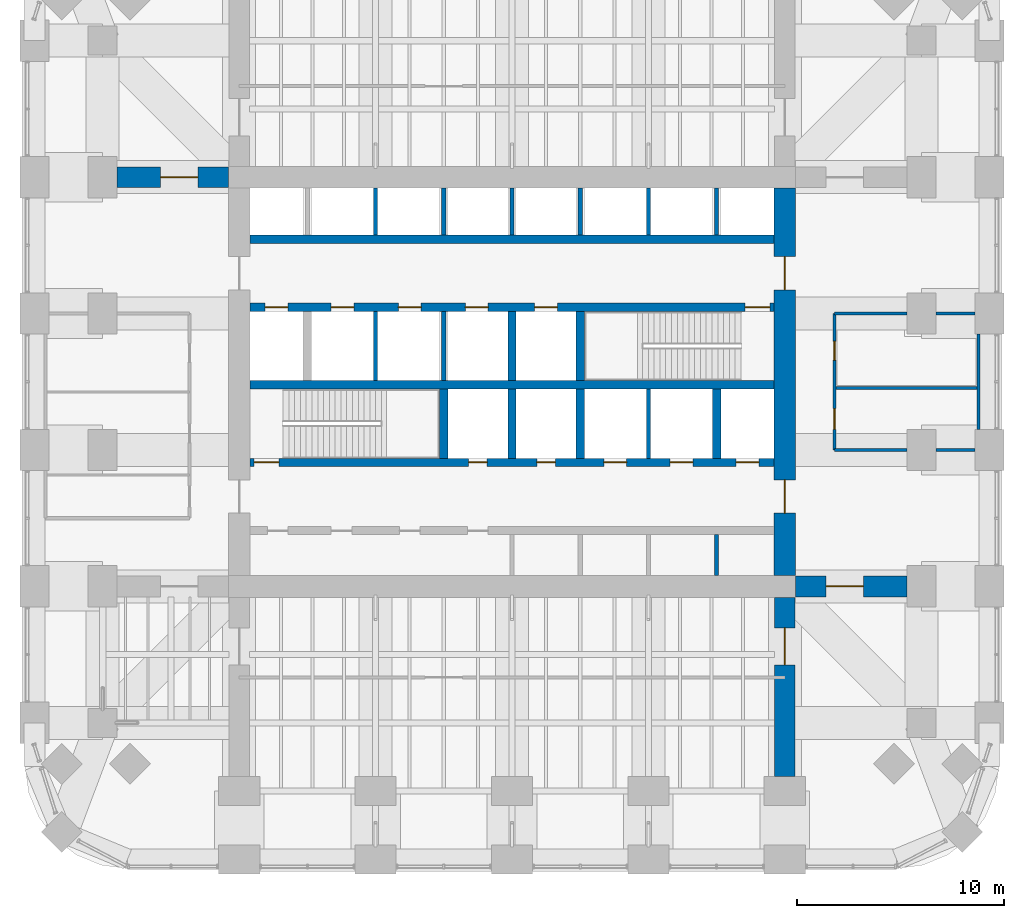
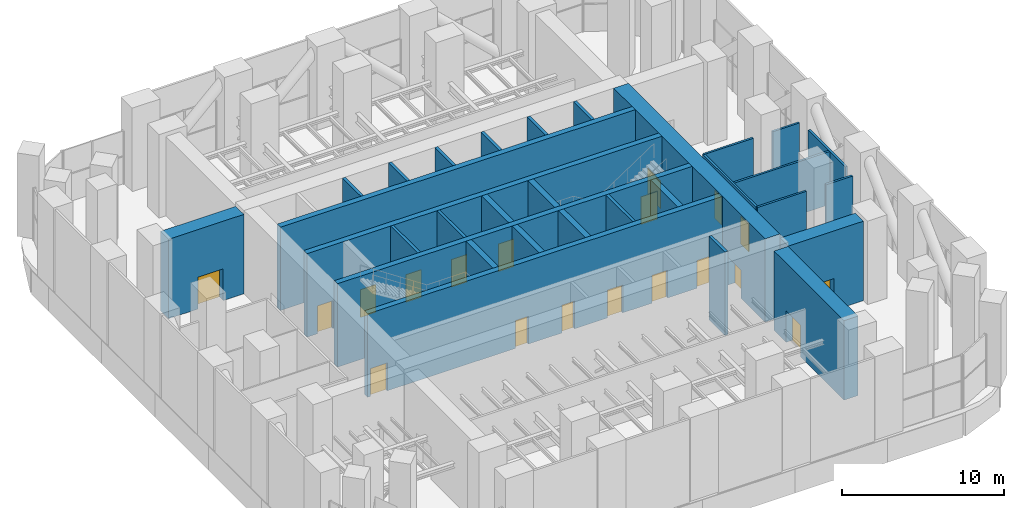
# One storey, part 13 of 16: 31 walls, 19 doors, 19 openings.
"""IFC4 building model written with IfcOpenShell, lengths in metres."""

from ifc_helpers import new_model, si_unit, direction, frame, frame_2d, origin, place, context, subcontext, project, spatial, rectangle, extrude, material, layer, layer_set, type_object, element, fill, save


model = new_model("IFC4")

# Units and contexts
model_context = context("Model", 3, precision=1e-05, world=origin(), true_north=direction((0.0, 1.0)))
body_context = subcontext(model_context, "Body", "Model", "MODEL_VIEW")
ifc_project = project(units=[si_unit("LENGTHUNIT", "METRE"), si_unit("AREAUNIT", "SQUARE_METRE"), si_unit("VOLUMEUNIT", "CUBIC_METRE"), si_unit("PLANEANGLEUNIT", "RADIAN"), si_unit("MASSUNIT", "GRAM", prefix="KILO")], contexts=[model_context])

# Site, building, storey
site_placement = place(None, origin())
site = spatial("IfcSite", under=ifc_project, at=site_placement, CompositionType="ELEMENT")
building_placement = place(site_placement, origin())
building = spatial("IfcBuilding", under=site, at=building_placement, Name="Cobogo Forest Laboratory Tower", CompositionType="ELEMENT")
storey_placement = place(building_placement, frame((0.0, 0.0, 149.39990234375)))
storey = spatial("IfcBuildingStorey", under=building, at=storey_placement, Name="L34", CompositionType="ELEMENT", Elevation=149.39990234375)

# Wall, openings, doors
ifc_material_1 = material(Name="Concrete HA-50 (C50/60)", Category="concrete")
ifc_layer_1 = layer(ifc_material_1, 0.39990234375)
ifc_layer_set_1 = layer_set([ifc_layer_1], Name="CI400 core inner wall 400")
wall_type_1 = type_object("IfcWallType", Name="CI400 core inner wall 400", PredefinedType="SHEAR", material=ifc_layer_set_1)
wall_1_placement = place(storey_placement, frame((13.72509765625, 19.199951171875, 0.0), z_axis=(0.0, 0.0, 1.0), x_axis=(1.0, 0.0, 0.0)))
wall_1 = element("IfcWall", 1, at=wall_1_placement, inside=storey, type_object=wall_type_1, Name="Core wall CI-19.2 L34", PredefinedType="SHEAR", context=body_context, shape_type="SweptSolid", body=[
    extrude(rectangle(XDim=25.349853515625, YDim=0.39990234375, at=frame_2d((12.6748046875, 0.0))), origin(), (0.0, 0.0, 1.0), 6.300048828125),
])
opening_1_placement = place(wall_1_placement, frame((10.574951171875, 0.0, 0.0)))
opening_1 = element("IfcOpeningElement", 2, at=opening_1_placement, cuts=wall_1, Name="Opening L34-D14", PredefinedType="OPENING", context=body_context, shape_type="SweptSolid", body=[
    extrude(rectangle(XDim=0.89990234375, YDim=2.10009765625, at=frame_2d((0.449951171875, 1.050048828125))), frame((0.0, 0.2099609375, 0.0), z_axis=(0.0, -1.0, 0.0), x_axis=(1.0, 0.0, 0.0)), (0.0, 0.0, 1.0), 0.419921875),
])
opening_2_placement = place(wall_1_placement, frame((13.875, 0.0, 0.0)))
opening_2 = element("IfcOpeningElement", 3, at=opening_2_placement, cuts=wall_1, Name="Opening L34-D15", PredefinedType="OPENING", context=body_context, shape_type="SweptSolid", body=[
    extrude(rectangle(XDim=0.89990234375, YDim=2.10009765625, at=frame_2d((0.449951171875, 1.050048828125))), frame((0.0, 0.2099609375, 0.0), z_axis=(0.0, -1.0, 0.0), x_axis=(1.0, 0.0, 0.0)), (0.0, 0.0, 1.0), 0.419921875),
])
opening_3_placement = place(wall_1_placement, frame((0.199951171875, 0.0, 0.0)))
opening_3 = element("IfcOpeningElement", 4, at=opening_3_placement, cuts=wall_1, Name="Opening L34-D13", PredefinedType="OPENING", context=body_context, shape_type="SweptSolid", body=[
    extrude(rectangle(XDim=1.199951171875, YDim=2.10009765625, at=frame_2d((0.60009765625, 1.050048828125))), frame((0.0, 0.2099609375, 0.0), z_axis=(0.0, -1.0, 0.0), x_axis=(1.0, 0.0, 0.0)), (0.0, 0.0, 1.0), 0.419921875),
])
opening_4_placement = place(wall_1_placement, frame((23.512451171875, 0.0, 0.0)))
opening_4 = element("IfcOpeningElement", 5, at=opening_4_placement, cuts=wall_1, Name="Opening L34-LD-FL2", PredefinedType="OPENING", context=body_context, shape_type="SweptSolid", body=[
    extrude(rectangle(XDim=1.10009765625, YDim=2.10009765625, at=frame_2d((0.550048828125, 1.050048828125))), frame((0.0, 0.2099609375, 0.0), z_axis=(0.0, -1.0, 0.0), x_axis=(1.0, 0.0, 0.0)), (0.0, 0.0, 1.0), 0.419921875),
])
opening_5_placement = place(wall_1_placement, frame((17.125, 0.0, 0.0)))
opening_5 = element("IfcOpeningElement", 6, at=opening_5_placement, cuts=wall_1, Name="Opening L34-LD-LS1", PredefinedType="OPENING", context=body_context, shape_type="SweptSolid", body=[
    extrude(rectangle(XDim=1.10009765625, YDim=2.10009765625, at=frame_2d((0.550048828125, 1.050048828125))), frame((0.0, 0.2099609375, 0.0), z_axis=(0.0, -1.0, 0.0), x_axis=(1.0, 0.0, 0.0)), (0.0, 0.0, 1.0), 0.419921875),
])
opening_6_placement = place(wall_1_placement, frame((20.324951171875, 0.0, 0.0)))
opening_6 = element("IfcOpeningElement", 7, at=opening_6_placement, cuts=wall_1, Name="Opening L34-LD-LS2", PredefinedType="OPENING", context=body_context, shape_type="SweptSolid", body=[
    extrude(rectangle(XDim=1.10009765625, YDim=2.10009765625, at=frame_2d((0.550048828125, 1.050048828125))), frame((0.0, 0.2099609375, 0.0), z_axis=(0.0, -1.0, 0.0), x_axis=(1.0, 0.0, 0.0)), (0.0, 0.0, 1.0), 0.419921875),
])
ifc_material_2 = material(Name="Steel fire door", Category="steel")
door_type_1 = type_object("IfcDoorType", Name="DS1 protected stair door 1200 EI2 60", OperationType="SINGLE_SWING_LEFT", PredefinedType="DOOR", material=ifc_material_2)
door_1_placement = place(opening_3_placement, origin())
door_1 = element("IfcDoor", 8, at=door_1_placement, inside=storey, type_object=door_type_1, Name="Door L34-ST1", OperationType="SINGLE_SWING_LEFT", OverallHeight=2.10009765625, OverallWidth=1.199951171875, PredefinedType="DOOR", context=body_context, shape_type="SweptSolid", body=[
    extrude(rectangle(XDim=1.199951171875, YDim=2.10009765625, at=frame_2d((0.60009765625, 1.050048828125))), frame((0.0, 0.02490234375, 0.0), z_axis=(0.0, -1.0, 0.0), x_axis=(1.0, 0.0, 0.0)), (0.0, 0.0, 1.0), 0.050048828125),
])
fill(opening_3, door_1)
door_type_2 = type_object("IfcDoorType", Name="FD4 riser access door 900 EI2 60", OperationType="SINGLE_SWING_LEFT", PredefinedType="DOOR", material=ifc_material_2)
door_2_placement = place(opening_1_placement, origin())
door_2 = element("IfcDoor", 9, at=door_2_placement, inside=storey, type_object=door_type_2, Name="Door L34-R1", OperationType="SINGLE_SWING_LEFT", OverallHeight=2.10009765625, OverallWidth=0.89990234375, PredefinedType="DOOR", context=body_context, shape_type="SweptSolid", body=[
    extrude(rectangle(XDim=0.89990234375, YDim=2.10009765625, at=frame_2d((0.449951171875, 1.050048828125))), frame((0.0, 0.02490234375, 0.0), z_axis=(0.0, -1.0, 0.0), x_axis=(1.0, 0.0, 0.0)), (0.0, 0.0, 1.0), 0.050048828125),
])
fill(opening_1, door_2)
door_3_placement = place(opening_2_placement, origin())
door_3 = element("IfcDoor", 10, at=door_3_placement, inside=storey, type_object=door_type_2, Name="Door L34-R2", OperationType="SINGLE_SWING_RIGHT", OverallHeight=2.10009765625, OverallWidth=0.89990234375, PredefinedType="DOOR", context=body_context, shape_type="SweptSolid", body=[
    extrude(rectangle(XDim=0.89990234375, YDim=2.10009765625, at=frame_2d((0.449951171875, 1.050048828125))), frame((0.0, 0.02490234375, 0.0), z_axis=(0.0, -1.0, 0.0), x_axis=(1.0, 0.0, 0.0)), (0.0, 0.0, 1.0), 0.050048828125),
])
fill(opening_2, door_3)
ifc_material_3 = material(Name="Stainless steel lift door", Category="steel")
door_type_3 = type_object("IfcDoorType", Name="LD lift landing door 1100", OperationType="DOUBLE_DOOR_SLIDING", PredefinedType="DOOR", material=ifc_material_3)
door_4_placement = place(opening_4_placement, origin())
door_4 = element("IfcDoor", 11, at=door_4_placement, inside=storey, type_object=door_type_3, Name="Lift landing door FL2 L34", OperationType="DOUBLE_DOOR_SLIDING", OverallHeight=2.10009765625, OverallWidth=1.10009765625, PredefinedType="DOOR", context=body_context, shape_type="SweptSolid", body=[
    extrude(rectangle(XDim=1.10009765625, YDim=2.10009765625, at=frame_2d((0.550048828125, 1.050048828125))), frame((0.0, 0.02490234375, 0.0), z_axis=(0.0, -1.0, 0.0), x_axis=(1.0, 0.0, 0.0)), (0.0, 0.0, 1.0), 0.050048828125),
])
fill(opening_4, door_4)
door_5_placement = place(opening_5_placement, origin())
door_5 = element("IfcDoor", 12, at=door_5_placement, inside=storey, type_object=door_type_3, Name="Lift landing door LS1 L34", OperationType="DOUBLE_DOOR_SLIDING", OverallHeight=2.10009765625, OverallWidth=1.10009765625, PredefinedType="DOOR", context=body_context, shape_type="SweptSolid", body=[
    extrude(rectangle(XDim=1.10009765625, YDim=2.10009765625, at=frame_2d((0.550048828125, 1.050048828125))), frame((0.0, 0.02490234375, 0.0), z_axis=(0.0, -1.0, 0.0), x_axis=(1.0, 0.0, 0.0)), (0.0, 0.0, 1.0), 0.050048828125),
])
fill(opening_5, door_5)
door_6_placement = place(opening_6_placement, origin())
door_6 = element("IfcDoor", 13, at=door_6_placement, inside=storey, type_object=door_type_3, Name="Lift landing door LS2 L34", OperationType="DOUBLE_DOOR_SLIDING", OverallHeight=2.10009765625, OverallWidth=1.10009765625, PredefinedType="DOOR", context=body_context, shape_type="SweptSolid", body=[
    extrude(rectangle(XDim=1.10009765625, YDim=2.10009765625, at=frame_2d((0.550048828125, 1.050048828125))), frame((0.0, 0.02490234375, 0.0), z_axis=(0.0, -1.0, 0.0), x_axis=(1.0, 0.0, 0.0)), (0.0, 0.0, 1.0), 0.050048828125),
])
fill(opening_6, door_6)

# Wall
wall_2_placement = place(storey_placement, frame((13.72509765625, 22.949951171875, 0.0), z_axis=(0.0, 0.0, 1.0), x_axis=(1.0, 0.0, 0.0)))
element("IfcWall", 14, at=wall_2_placement, inside=storey, type_object=wall_type_1, Name="Core wall CI-22.95 L34", PredefinedType="SHEAR", context=body_context, shape_type="SweptSolid", body=[
    extrude(rectangle(XDim=25.349853515625, YDim=0.39990234375, at=frame_2d((12.6748046875, 0.0))), origin(), (0.0, 0.0, 1.0), 6.300048828125),
])

# Wall, openings, doors
wall_3_placement = place(storey_placement, frame((13.72509765625, 26.699951171875, 0.0), z_axis=(0.0, 0.0, 1.0), x_axis=(1.0, 0.0, 0.0)))
wall_3 = element("IfcWall", 15, at=wall_3_placement, inside=storey, type_object=wall_type_1, Name="Core wall CI-26.7 L34", PredefinedType="SHEAR", context=body_context, shape_type="SweptSolid", body=[
    extrude(rectangle(XDim=25.349853515625, YDim=0.39990234375, at=frame_2d((12.6748046875, 0.0))), origin(), (0.0, 0.0, 1.0), 6.300048828125),
])
opening_7_placement = place(wall_3_placement, frame((23.949951171875, 0.0, 0.0)))
opening_7 = element("IfcOpeningElement", 16, at=opening_7_placement, cuts=wall_3, Name="Opening L34-D20", PredefinedType="OPENING", context=body_context, shape_type="SweptSolid", body=[
    extrude(rectangle(XDim=1.199951171875, YDim=2.10009765625, at=frame_2d((0.60009765625, 1.050048828125))), frame((0.0, 0.2099609375, 0.0), z_axis=(0.0, -1.0, 0.0), x_axis=(1.0, 0.0, 0.0)), (0.0, 0.0, 1.0), 0.419921875),
])
opening_8_placement = place(wall_3_placement, frame((0.737548828125, 0.0, 0.0)))
opening_8 = element("IfcOpeningElement", 17, at=opening_8_placement, cuts=wall_3, Name="Opening L34-LD-FL1", PredefinedType="OPENING", context=body_context, shape_type="SweptSolid", body=[
    extrude(rectangle(XDim=1.10009765625, YDim=2.10009765625, at=frame_2d((0.550048828125, 1.050048828125))), frame((0.0, 0.2099609375, 0.0), z_axis=(0.0, -1.0, 0.0), x_axis=(1.0, 0.0, 0.0)), (0.0, 0.0, 1.0), 0.419921875),
])
opening_9_placement = place(wall_3_placement, frame((3.925048828125, 0.0, 0.0)))
opening_9 = element("IfcOpeningElement", 18, at=opening_9_placement, cuts=wall_3, Name="Opening L34-LD-LS3", PredefinedType="OPENING", context=body_context, shape_type="SweptSolid", body=[
    extrude(rectangle(XDim=1.10009765625, YDim=2.10009765625, at=frame_2d((0.550048828125, 1.050048828125))), frame((0.0, 0.2099609375, 0.0), z_axis=(0.0, -1.0, 0.0), x_axis=(1.0, 0.0, 0.0)), (0.0, 0.0, 1.0), 0.419921875),
])
opening_10_placement = place(wall_3_placement, frame((7.175048828125, 0.0, 0.0)))
opening_10 = element("IfcOpeningElement", 19, at=opening_10_placement, cuts=wall_3, Name="Opening L34-LD-LS4", PredefinedType="OPENING", context=body_context, shape_type="SweptSolid", body=[
    extrude(rectangle(XDim=1.10009765625, YDim=2.10009765625, at=frame_2d((0.550048828125, 1.050048828125))), frame((0.0, 0.2099609375, 0.0), z_axis=(0.0, -1.0, 0.0), x_axis=(1.0, 0.0, 0.0)), (0.0, 0.0, 1.0), 0.419921875),
])
opening_11_placement = place(wall_3_placement, frame((10.425048828125, 0.0, 0.0)))
opening_11 = element("IfcOpeningElement", 20, at=opening_11_placement, cuts=wall_3, Name="Opening L34-LD-LS5", PredefinedType="OPENING", context=body_context, shape_type="SweptSolid", body=[
    extrude(rectangle(XDim=1.10009765625, YDim=2.10009765625, at=frame_2d((0.550048828125, 1.050048828125))), frame((0.0, 0.2099609375, 0.0), z_axis=(0.0, -1.0, 0.0), x_axis=(1.0, 0.0, 0.0)), (0.0, 0.0, 1.0), 0.419921875),
])
opening_12_placement = place(wall_3_placement, frame((13.77490234375, 0.0, 0.0)))
opening_12 = element("IfcOpeningElement", 21, at=opening_12_placement, cuts=wall_3, Name="Opening L34-LD-LS6", PredefinedType="OPENING", context=body_context, shape_type="SweptSolid", body=[
    extrude(rectangle(XDim=1.10009765625, YDim=2.10009765625, at=frame_2d((0.550048828125, 1.050048828125))), frame((0.0, 0.2099609375, 0.0), z_axis=(0.0, -1.0, 0.0), x_axis=(1.0, 0.0, 0.0)), (0.0, 0.0, 1.0), 0.419921875),
])
door_7_placement = place(opening_7_placement, origin())
door_7 = element("IfcDoor", 22, at=door_7_placement, inside=storey, type_object=door_type_1, Name="Door L34-ST2", OperationType="SINGLE_SWING_RIGHT", OverallHeight=2.10009765625, OverallWidth=1.199951171875, PredefinedType="DOOR", context=body_context, shape_type="SweptSolid", body=[
    extrude(rectangle(XDim=1.199951171875, YDim=2.10009765625, at=frame_2d((0.60009765625, 1.050048828125))), frame((0.0, 0.02490234375, 0.0), z_axis=(0.0, -1.0, 0.0), x_axis=(1.0, 0.0, 0.0)), (0.0, 0.0, 1.0), 0.050048828125),
])
fill(opening_7, door_7)
door_8_placement = place(opening_8_placement, origin())
door_8 = element("IfcDoor", 23, at=door_8_placement, inside=storey, type_object=door_type_3, Name="Lift landing door FL1 L34", OperationType="DOUBLE_DOOR_SLIDING", OverallHeight=2.10009765625, OverallWidth=1.10009765625, PredefinedType="DOOR", context=body_context, shape_type="SweptSolid", body=[
    extrude(rectangle(XDim=1.10009765625, YDim=2.10009765625, at=frame_2d((0.550048828125, 1.050048828125))), frame((0.0, 0.02490234375, 0.0), z_axis=(0.0, -1.0, 0.0), x_axis=(1.0, 0.0, 0.0)), (0.0, 0.0, 1.0), 0.050048828125),
])
fill(opening_8, door_8)
door_9_placement = place(opening_9_placement, origin())
door_9 = element("IfcDoor", 24, at=door_9_placement, inside=storey, type_object=door_type_3, Name="Lift landing door LS3 L34", OperationType="DOUBLE_DOOR_SLIDING", OverallHeight=2.10009765625, OverallWidth=1.10009765625, PredefinedType="DOOR", context=body_context, shape_type="SweptSolid", body=[
    extrude(rectangle(XDim=1.10009765625, YDim=2.10009765625, at=frame_2d((0.550048828125, 1.050048828125))), frame((0.0, 0.02490234375, 0.0), z_axis=(0.0, -1.0, 0.0), x_axis=(1.0, 0.0, 0.0)), (0.0, 0.0, 1.0), 0.050048828125),
])
fill(opening_9, door_9)
door_10_placement = place(opening_10_placement, origin())
door_10 = element("IfcDoor", 25, at=door_10_placement, inside=storey, type_object=door_type_3, Name="Lift landing door LS4 L34", OperationType="DOUBLE_DOOR_SLIDING", OverallHeight=2.10009765625, OverallWidth=1.10009765625, PredefinedType="DOOR", context=body_context, shape_type="SweptSolid", body=[
    extrude(rectangle(XDim=1.10009765625, YDim=2.10009765625, at=frame_2d((0.550048828125, 1.050048828125))), frame((0.0, 0.02490234375, 0.0), z_axis=(0.0, -1.0, 0.0), x_axis=(1.0, 0.0, 0.0)), (0.0, 0.0, 1.0), 0.050048828125),
])
fill(opening_10, door_10)
door_11_placement = place(opening_11_placement, origin())
door_11 = element("IfcDoor", 26, at=door_11_placement, inside=storey, type_object=door_type_3, Name="Lift landing door LS5 L34", OperationType="DOUBLE_DOOR_SLIDING", OverallHeight=2.10009765625, OverallWidth=1.10009765625, PredefinedType="DOOR", context=body_context, shape_type="SweptSolid", body=[
    extrude(rectangle(XDim=1.10009765625, YDim=2.10009765625, at=frame_2d((0.550048828125, 1.050048828125))), frame((0.0, 0.02490234375, 0.0), z_axis=(0.0, -1.0, 0.0), x_axis=(1.0, 0.0, 0.0)), (0.0, 0.0, 1.0), 0.050048828125),
])
fill(opening_11, door_11)
door_12_placement = place(opening_12_placement, origin())
door_12 = element("IfcDoor", 27, at=door_12_placement, inside=storey, type_object=door_type_3, Name="Lift landing door LS6 L34", OperationType="DOUBLE_DOOR_SLIDING", OverallHeight=2.10009765625, OverallWidth=1.10009765625, PredefinedType="DOOR", context=body_context, shape_type="SweptSolid", body=[
    extrude(rectangle(XDim=1.10009765625, YDim=2.10009765625, at=frame_2d((0.550048828125, 1.050048828125))), frame((0.0, 0.02490234375, 0.0), z_axis=(0.0, -1.0, 0.0), x_axis=(1.0, 0.0, 0.0)), (0.0, 0.0, 1.0), 0.050048828125),
])
fill(opening_12, door_12)

# Walls
wall_4_placement = place(storey_placement, frame((13.72509765625, 30.0, 0.0), z_axis=(0.0, 0.0, 1.0), x_axis=(1.0, 0.0, 0.0)))
element("IfcWall", 28, at=wall_4_placement, inside=storey, type_object=wall_type_1, Name="Core wall CI-30.0 L34", PredefinedType="SHEAR", context=body_context, shape_type="SweptSolid", body=[
    extrude(rectangle(XDim=25.349853515625, YDim=0.39990234375, at=frame_2d((12.6748046875, 0.0))), origin(), (0.0, 0.0, 1.0), 6.300048828125),
])
for number, where, z_axis, x_axis, name in (
    (29, (23.10009765625, 19.39990234375, 0.0), (0.0, 0.0, 1.0), (0.0, 1.0, 0.0), "Core wall CX-23.1 L34"),
    (30, (26.39990234375, 19.39990234375, 0.0), (0.0, 0.0, 1.0), (0.0, 1.0, 0.0), "Core wall CX-26.4S L34"),
    (31, (29.699951171875, 19.39990234375, 0.0), (0.0, 0.0, 1.0), (0.0, 1.0, 0.0), "Core wall CX-29.7S L34"),
    (32, (36.300048828125, 19.39990234375, 0.0), (0.0, 0.0, 1.0), (0.0, 1.0, 0.0), "Core wall CX-36.3 L34"),
    (33, (26.39990234375, 23.14990234375, 0.0), (0.0, 0.0, 1.0), (0.0, 1.0, 0.0), "Core wall CX-26.4N L34"),
    (34, (29.699951171875, 23.14990234375, 0.0), (0.0, 0.0, 1.0), (0.0, 1.0, 0.0), "Core wall CX-29.7N L34"),
):
    element("IfcWall", number, at=place(storey_placement, frame(where, z_axis=z_axis, x_axis=x_axis)), inside=storey, type_object=wall_type_1, Name=name, PredefinedType="SHEAR", context=body_context, shape_type="SweptSolid", body=[
        extrude(rectangle(XDim=3.35009765625, YDim=0.39990234375, at=frame_2d((1.675048828125, 0.0))), origin(), (0.0, 0.0, 1.0), 6.300048828125),
    ])

# Wall, openings, doors
ifc_layer_2 = layer(ifc_material_1, 1.050048828125)
ifc_layer_set_2 = layer_set([ifc_layer_2], Name="CW1050 core outer wall 1050")
wall_type_2 = type_object("IfcWallType", Name="CW1050 core outer wall 1050", PredefinedType="SHEAR", material=ifc_layer_set_2)
wall_5_placement = place(storey_placement, frame((39.60009765625, 13.72509765625, 0.0), z_axis=(0.0, 0.0, 1.0), x_axis=(0.0, 1.0, 0.0)))
wall_5 = element("IfcWall", 35, at=wall_5_placement, inside=storey, type_object=wall_type_2, Name="Core wall CO-E L34", PredefinedType="SHEAR", context=body_context, shape_type="SweptSolid", body=[
    extrude(rectangle(XDim=18.75, YDim=1.050048828125, at=frame_2d((9.375, 0.0))), origin(), (0.0, 0.0, 1.0), 6.300048828125),
])
opening_13_placement = place(wall_5_placement, frame((3.02490234375, 0.0, 0.0)))
opening_13 = element("IfcOpeningElement", 36, at=opening_13_placement, cuts=wall_5, Name="Opening L34-D12", PredefinedType="OPENING", context=body_context, shape_type="SweptSolid", body=[
    extrude(rectangle(XDim=1.60009765625, YDim=2.10009765625, at=frame_2d((0.800048828125, 1.050048828125))), frame((0.0, 0.534912109375, 0.0), z_axis=(0.0, -1.0, 0.0), x_axis=(1.0, 0.0, 0.0)), (0.0, 0.0, 1.0), 1.070068359375),
])
opening_14_placement = place(wall_5_placement, frame((13.824951171875, 0.0, 0.0)))
opening_14 = element("IfcOpeningElement", 37, at=opening_14_placement, cuts=wall_5, Name="Opening L34-D22", PredefinedType="OPENING", context=body_context, shape_type="SweptSolid", body=[
    extrude(rectangle(XDim=1.60009765625, YDim=2.10009765625, at=frame_2d((0.800048828125, 1.050048828125))), frame((0.0, 0.534912109375, 0.0), z_axis=(0.0, -1.0, 0.0), x_axis=(1.0, 0.0, 0.0)), (0.0, 0.0, 1.0), 1.070068359375),
])
door_type_4 = type_object("IfcDoorType", Name="DS2 protected lobby door pair 1600 EI2 60", OperationType="DOUBLE_DOOR_DOUBLE_SWING", PredefinedType="DOOR", material=ifc_material_2)
door_13_placement = place(opening_13_placement, origin())
door_13 = element("IfcDoor", 38, at=door_13_placement, inside=storey, type_object=door_type_4, Name="Door L34-CO-E-S", OperationType="DOUBLE_DOOR_DOUBLE_SWING", OverallHeight=2.10009765625, OverallWidth=1.60009765625, PredefinedType="DOOR", context=body_context, shape_type="SweptSolid", body=[
    extrude(rectangle(XDim=1.60009765625, YDim=2.10009765625, at=frame_2d((0.800048828125, 1.050048828125))), frame((0.0, 0.02490234375, 0.0), z_axis=(0.0, -1.0, 0.0), x_axis=(1.0, 0.0, 0.0)), (0.0, 0.0, 1.0), 0.050048828125),
])
fill(opening_13, door_13)
door_14_placement = place(opening_14_placement, origin())
door_14 = element("IfcDoor", 39, at=door_14_placement, inside=storey, type_object=door_type_4, Name="Door L34-CO-E-N", OperationType="DOUBLE_DOOR_DOUBLE_SWING", OverallHeight=2.10009765625, OverallWidth=1.60009765625, PredefinedType="DOOR", context=body_context, shape_type="SweptSolid", body=[
    extrude(rectangle(XDim=1.60009765625, YDim=2.10009765625, at=frame_2d((0.800048828125, 1.050048828125))), frame((0.0, 0.02490234375, 0.0), z_axis=(0.0, -1.0, 0.0), x_axis=(1.0, 0.0, 0.0)), (0.0, 0.0, 1.0), 0.050048828125),
])
fill(opening_14, door_14)

# Wall, opening, door
ifc_layer_3 = layer(ifc_material_1, 1.0)
ifc_layer_set_3 = layer_set([ifc_layer_3], Name="Outrigger wall 1000")
wall_type_3 = type_object("IfcWallType", Name="Outrigger wall 1000", PredefinedType="SHEAR", material=ifc_layer_set_3)
wall_6_placement = place(storey_placement, frame((39.60009765625, 12.675048828125, 0.0), z_axis=(0.0, 0.0, 1.0), x_axis=(0.0, -1.0, 0.0)))
wall_6 = element("IfcWall", 40, at=wall_6_placement, inside=storey, type_object=wall_type_3, Name="Outrigger wall OR-S7 L34", PredefinedType="SHEAR", context=body_context, shape_type="SweptSolid", body=[
    extrude(rectangle(XDim=8.675048828125, YDim=1.0, at=frame_2d((4.33740234375, 0.0))), origin(), (0.0, 0.0, 1.0), 6.0),
])
opening_15_placement = place(wall_6_placement, frame((1.47509765625, 0.0, 0.0)))
opening_15 = element("IfcOpeningElement", 41, at=opening_15_placement, cuts=wall_6, Name="Opening L34-D03", PredefinedType="OPENING", context=body_context, shape_type="SweptSolid", body=[
    extrude(rectangle(XDim=1.800048828125, YDim=2.39990234375, at=frame_2d((0.89990234375, 1.199951171875))), frame((0.0, 0.510009765625, 0.0), z_axis=(0.0, -1.0, 0.0), x_axis=(1.0, 0.0, 0.0)), (0.0, 0.0, 1.0), 1.02001953125),
])
door_type_5 = type_object("IfcDoorType", Name="PD1 plant door pair 1800 EI2 60", OperationType="DOUBLE_DOOR_SINGLE_SWING", PredefinedType="DOOR", material=ifc_material_2)
door_15_placement = place(opening_15_placement, origin())
door_15 = element("IfcDoor", 42, at=door_15_placement, inside=storey, type_object=door_type_5, Name="Door L34-OR-S7", OperationType="DOUBLE_DOOR_SINGLE_SWING", OverallHeight=2.39990234375, OverallWidth=1.800048828125, PredefinedType="DOOR", context=body_context, shape_type="SweptSolid", body=[
    extrude(rectangle(XDim=1.800048828125, YDim=2.39990234375, at=frame_2d((0.89990234375, 1.199951171875))), frame((0.0, 0.02490234375, 0.0), z_axis=(0.0, -1.0, 0.0), x_axis=(1.0, 0.0, 0.0)), (0.0, 0.0, 1.0), 0.050048828125),
])
fill(opening_15, door_15)

wall_7_placement = place(storey_placement, frame((12.675048828125, 33.0, 0.0), z_axis=(0.0, 0.0, 1.0), x_axis=(-1.0, 0.0, 0.0)))
wall_7 = element("IfcWall", 43, at=wall_7_placement, inside=storey, type_object=wall_type_3, Name="Outrigger wall OR-WF L34", PredefinedType="SHEAR", context=body_context, shape_type="SweptSolid", body=[
    extrude(rectangle(XDim=5.375, YDim=1.0, at=frame_2d((2.6875, 0.0))), origin(), (0.0, 0.0, 1.0), 6.0),
])
opening_16_placement = place(wall_7_placement, frame((1.47509765625, 0.0, 0.0)))
opening_16 = element("IfcOpeningElement", 44, at=opening_16_placement, cuts=wall_7, Name="Opening L34-D23", PredefinedType="OPENING", context=body_context, shape_type="SweptSolid", body=[
    extrude(rectangle(XDim=1.800048828125, YDim=2.39990234375, at=frame_2d((0.89990234375, 1.199951171875))), frame((0.0, 0.510009765625, 0.0), z_axis=(0.0, -1.0, 0.0), x_axis=(1.0, 0.0, 0.0)), (0.0, 0.0, 1.0), 1.02001953125),
])
door_16_placement = place(opening_16_placement, origin())
door_16 = element("IfcDoor", 45, at=door_16_placement, inside=storey, type_object=door_type_5, Name="Door L34-OR-WF", OperationType="DOUBLE_DOOR_SINGLE_SWING", OverallHeight=2.39990234375, OverallWidth=1.800048828125, PredefinedType="DOOR", context=body_context, shape_type="SweptSolid", body=[
    extrude(rectangle(XDim=1.800048828125, YDim=2.39990234375, at=frame_2d((0.89990234375, 1.199951171875))), frame((0.0, 0.02490234375, 0.0), z_axis=(0.0, -1.0, 0.0), x_axis=(1.0, 0.0, 0.0)), (0.0, 0.0, 1.0), 0.050048828125),
])
fill(opening_16, door_16)

wall_8_placement = place(storey_placement, frame((40.125, 13.199951171875, 0.0), z_axis=(0.0, 0.0, 1.0), x_axis=(1.0, 0.0, 0.0)))
wall_8 = element("IfcWall", 46, at=wall_8_placement, inside=storey, type_object=wall_type_3, Name="Outrigger wall OR-EC L34", PredefinedType="SHEAR", context=body_context, shape_type="SweptSolid", body=[
    extrude(rectangle(XDim=5.375, YDim=1.0, at=frame_2d((2.6875, 0.0))), origin(), (0.0, 0.0, 1.0), 6.0),
])
opening_17_placement = place(wall_8_placement, frame((1.47509765625, 0.0, 0.0)))
opening_17 = element("IfcOpeningElement", 47, at=opening_17_placement, cuts=wall_8, Name="Opening L34-D05", PredefinedType="OPENING", context=body_context, shape_type="SweptSolid", body=[
    extrude(rectangle(XDim=1.800048828125, YDim=2.39990234375, at=frame_2d((0.89990234375, 1.199951171875))), frame((0.0, 0.510009765625, 0.0), z_axis=(0.0, -1.0, 0.0), x_axis=(1.0, 0.0, 0.0)), (0.0, 0.0, 1.0), 1.02001953125),
])
door_17_placement = place(opening_17_placement, origin())
door_17 = element("IfcDoor", 48, at=door_17_placement, inside=storey, type_object=door_type_5, Name="Door L34-OR-EC", OperationType="DOUBLE_DOOR_SINGLE_SWING", OverallHeight=2.39990234375, OverallWidth=1.800048828125, PredefinedType="DOOR", context=body_context, shape_type="SweptSolid", body=[
    extrude(rectangle(XDim=1.800048828125, YDim=2.39990234375, at=frame_2d((0.89990234375, 1.199951171875))), frame((0.0, 0.02490234375, 0.0), z_axis=(0.0, -1.0, 0.0), x_axis=(1.0, 0.0, 0.0)), (0.0, 0.0, 1.0), 0.050048828125),
])
fill(opening_17, door_17)

# Walls
ifc_material_4 = material(Name="Gypsum board on steel studs", Category="steel")
ifc_layer_4 = layer(ifc_material_4, 0.14990234375)
ifc_layer_set_4 = layer_set([ifc_layer_4], Name="PT1 laboratory partition 150")
wall_type_4 = type_object("IfcWallType", Name="PT1 laboratory partition 150", PredefinedType="PARTITIONING", material=ifc_layer_set_4)
wall_9_placement = place(storey_placement, frame((48.800048828125, 19.800048828125, 0.0), z_axis=(0.0, 0.0, 1.0), x_axis=(-1.0, 0.0, 0.0)))
element("IfcWall", 49, at=wall_9_placement, inside=storey, type_object=wall_type_4, Name="Partition POD-ELEC-S-1 L34", PredefinedType="PARTITIONING", context=body_context, shape_type="SweptSolid", body=[
    extrude(rectangle(XDim=1.900146484375, YDim=0.14990234375, at=frame_2d((0.9501953125, 0.0))), origin(), (0.0, 0.0, 1.0), 4.0),
])
for number, where, z_axis, x_axis, name in (
    (50, (45.5, 19.800048828125, 0.0), (0.0, 0.0, 1.0), (-1.0, 0.0, 0.0), "Partition POD-ELEC-S-2 L34"),
    (51, (42.0, 26.39990234375, 0.0), (0.0, 0.0, 1.0), (1.0, 0.0, 0.0), "Partition POD-ELEC-N-1 L34"),
):
    element("IfcWall", number, at=place(storey_placement, frame(where, z_axis=z_axis, x_axis=x_axis)), inside=storey, type_object=wall_type_4, Name=name, PredefinedType="PARTITIONING", context=body_context, shape_type="SweptSolid", body=[
        extrude(rectangle(XDim=3.5, YDim=0.14990234375, at=frame_2d((1.75, 0.0))), origin(), (0.0, 0.0, 1.0), 4.0),
    ])
wall_10_placement = place(storey_placement, frame((46.89990234375, 26.39990234375, 0.0), z_axis=(0.0, 0.0, 1.0), x_axis=(1.0, 0.0, 0.0)))
element("IfcWall", 52, at=wall_10_placement, inside=storey, type_object=wall_type_4, Name="Partition POD-ELEC-N-2 L34", PredefinedType="PARTITIONING", context=body_context, shape_type="SweptSolid", body=[
    extrude(rectangle(XDim=1.900146484375, YDim=0.14990234375, at=frame_2d((0.9501953125, 0.0))), origin(), (0.0, 0.0, 1.0), 4.0),
])

# Wall, openings, doors
wall_11_placement = place(storey_placement, frame((42.0, 19.800048828125, 0.0), z_axis=(0.0, 0.0, 1.0), x_axis=(0.0, 1.0, 0.0)))
wall_11 = element("IfcWall", 53, at=wall_11_placement, inside=storey, type_object=wall_type_4, Name="Partition POD-ELEC-W-1 L34", PredefinedType="PARTITIONING", context=body_context, shape_type="SweptSolid", body=[
    extrude(rectangle(XDim=6.599853515625, YDim=0.14990234375, at=frame_2d((3.2998046875, 0.0))), origin(), (0.0, 0.0, 1.0), 4.0),
])
opening_18_placement = place(wall_11_placement, frame((1.0, 0.0, 0.0)))
opening_18 = element("IfcOpeningElement", 54, at=opening_18_placement, cuts=wall_11, Name="Opening L34-D17", PredefinedType="OPENING", context=body_context, shape_type="SweptSolid", body=[
    extrude(rectangle(XDim=1.0, YDim=2.10009765625, at=frame_2d((0.5, 1.050048828125))), frame((0.0, 0.0849609375, 0.0), z_axis=(0.0, -1.0, 0.0), x_axis=(1.0, 0.0, 0.0)), (0.0, 0.0, 1.0), 0.169921875),
])
opening_19_placement = place(wall_11_placement, frame((4.35009765625, 0.0, 0.0)))
opening_19 = element("IfcOpeningElement", 55, at=opening_19_placement, cuts=wall_11, Name="Opening L34-D19", PredefinedType="OPENING", context=body_context, shape_type="SweptSolid", body=[
    extrude(rectangle(XDim=0.89990234375, YDim=2.10009765625, at=frame_2d((0.449951171875, 1.050048828125))), frame((0.0, 0.0849609375, 0.0), z_axis=(0.0, -1.0, 0.0), x_axis=(1.0, 0.0, 0.0)), (0.0, 0.0, 1.0), 0.169921875),
])
door_type_6 = type_object("IfcDoorType", Name="FD1 fire door 1000 EI2 60", OperationType="SINGLE_SWING_LEFT", PredefinedType="DOOR", material=ifc_material_2)
door_18_placement = place(opening_18_placement, origin())
door_18 = element("IfcDoor", 56, at=door_18_placement, inside=storey, type_object=door_type_6, Name="Door L34-ELEC", OperationType="SINGLE_SWING_LEFT", OverallHeight=2.10009765625, OverallWidth=1.0, PredefinedType="DOOR", context=body_context, shape_type="SweptSolid", body=[
    extrude(rectangle(XDim=1.0, YDim=2.10009765625, at=frame_2d((0.5, 1.050048828125))), frame((0.0, 0.02490234375, 0.0), z_axis=(0.0, -1.0, 0.0), x_axis=(1.0, 0.0, 0.0)), (0.0, 0.0, 1.0), 0.050048828125),
])
fill(opening_18, door_18)
door_19_placement = place(opening_19_placement, origin())
door_19 = element("IfcDoor", 57, at=door_19_placement, inside=storey, type_object=door_type_2, Name="Door L34-COMMS", OperationType="SINGLE_SWING_RIGHT", OverallHeight=2.10009765625, OverallWidth=0.89990234375, PredefinedType="DOOR", context=body_context, shape_type="SweptSolid", body=[
    extrude(rectangle(XDim=0.89990234375, YDim=2.10009765625, at=frame_2d((0.449951171875, 1.050048828125))), frame((0.0, 0.02490234375, 0.0), z_axis=(0.0, -1.0, 0.0), x_axis=(1.0, 0.0, 0.0)), (0.0, 0.0, 1.0), 0.050048828125),
])
fill(opening_19, door_19)

# Walls
wall_12_placement = place(storey_placement, frame((48.965087890625, 25.39990234375, 0.0), z_axis=(0.0, 0.0, 1.0), x_axis=(0.0, -1.0, 0.0)))
element("IfcWall", 58, at=wall_12_placement, inside=storey, type_object=wall_type_4, Name="Partition POD-ELEC-E-1 L34", PredefinedType="PARTITIONING", context=body_context, shape_type="SweptSolid", body=[
    extrude(rectangle(XDim=4.599853515625, YDim=0.14990234375, at=frame_2d((2.2998046875, 0.0))), origin(), (0.0, 0.0, 1.0), 4.0),
])
wall_13_placement = place(storey_placement, frame((42.0, 22.800048828125, 0.0), z_axis=(0.0, 0.0, 1.0), x_axis=(1.0, 0.0, 0.0)))
element("IfcWall", 59, at=wall_13_placement, inside=storey, type_object=wall_type_4, Name="Partition POD-ELEC-1-1 L34", PredefinedType="PARTITIONING", context=body_context, shape_type="SweptSolid", body=[
    extrude(rectangle(XDim=6.965087890625, YDim=0.14990234375, at=frame_2d((3.482421875, 0.0))), origin(), (0.0, 0.0, 1.0), 4.0),
])
ifc_material_5 = material(Name="Concrete block", Category="concrete")
ifc_layer_5 = layer(ifc_material_5, 0.199951171875)
ifc_layer_set_5 = layer_set([ifc_layer_5], Name="SW200 lift shaft separator 200")
wall_type_5 = type_object("IfcWallType", Name="SW200 lift shaft separator 200", PredefinedType="PARTITIONING", material=ifc_layer_set_5)
for number, where, z_axis, x_axis, name in (
    (60, (19.800048828125, 30.199951171875, 0.0), (0.0, 0.0, 1.0), (0.0, 1.0, 0.0), "Core wall SEP-N2 L34"),
    (61, (23.10009765625, 30.199951171875, 0.0), (0.0, 0.0, 1.0), (0.0, 1.0, 0.0), "Core wall SEP-N3 L34"),
    (62, (26.39990234375, 30.199951171875, 0.0), (0.0, 0.0, 1.0), (0.0, 1.0, 0.0), "Core wall SEP-N4 L34"),
    (63, (29.699951171875, 30.199951171875, 0.0), (0.0, 0.0, 1.0), (0.0, 1.0, 0.0), "Core wall SEP-N5 L34"),
    (64, (33.0, 30.199951171875, 0.0), (0.0, 0.0, 1.0), (0.0, 1.0, 0.0), "Core wall SEP-N6 L34"),
):
    element("IfcWall", number, at=place(storey_placement, frame(where, z_axis=z_axis, x_axis=x_axis)), inside=storey, type_object=wall_type_5, Name=name, PredefinedType="PARTITIONING", context=body_context, shape_type="SweptSolid", body=[
        extrude(rectangle(XDim=2.275146484375, YDim=0.199951171875, at=frame_2d((1.1376953125, 0.0))), origin(), (0.0, 0.0, 1.0), 6.300048828125),
    ])
wall_14_placement = place(storey_placement, frame((36.300048828125, 13.72509765625, 0.0), z_axis=(0.0, 0.0, 1.0), x_axis=(0.0, 1.0, 0.0)))
element("IfcWall", 65, at=wall_14_placement, inside=storey, type_object=wall_type_5, Name="Core wall SEP-S7 L34", PredefinedType="PARTITIONING", context=body_context, shape_type="SweptSolid", body=[
    extrude(rectangle(XDim=1.974853515625, YDim=0.199951171875, at=frame_2d((0.9873046875, 0.0))), origin(), (0.0, 0.0, 1.0), 6.300048828125),
])
wall_15_placement = place(storey_placement, frame((36.300048828125, 30.199951171875, 0.0), z_axis=(0.0, 0.0, 1.0), x_axis=(0.0, 1.0, 0.0)))
element("IfcWall", 66, at=wall_15_placement, inside=storey, type_object=wall_type_5, Name="Core wall SEP-N7 L34", PredefinedType="PARTITIONING", context=body_context, shape_type="SweptSolid", body=[
    extrude(rectangle(XDim=2.275146484375, YDim=0.199951171875, at=frame_2d((1.1376953125, 0.0))), origin(), (0.0, 0.0, 1.0), 6.300048828125),
])
for number, where, z_axis, x_axis, name in (
    (67, (33.0, 19.39990234375, 0.0), (0.0, 0.0, 1.0), (0.0, 1.0, 0.0), "Core wall SEP-M33.0 L34"),
    (68, (19.800048828125, 23.14990234375, 0.0), (0.0, 0.0, 1.0), (0.0, 1.0, 0.0), "Core wall SEP-M19.8 L34"),
    (69, (23.10009765625, 23.14990234375, 0.0), (0.0, 0.0, 1.0), (0.0, 1.0, 0.0), "Core wall SEP-M23.1 L34"),
):
    element("IfcWall", number, at=place(storey_placement, frame(where, z_axis=z_axis, x_axis=x_axis)), inside=storey, type_object=wall_type_5, Name=name, PredefinedType="PARTITIONING", context=body_context, shape_type="SweptSolid", body=[
        extrude(rectangle(XDim=3.35009765625, YDim=0.199951171875, at=frame_2d((1.675048828125, 0.0))), origin(), (0.0, 0.0, 1.0), 6.300048828125),
    ])

save(model, "model.ifc")
